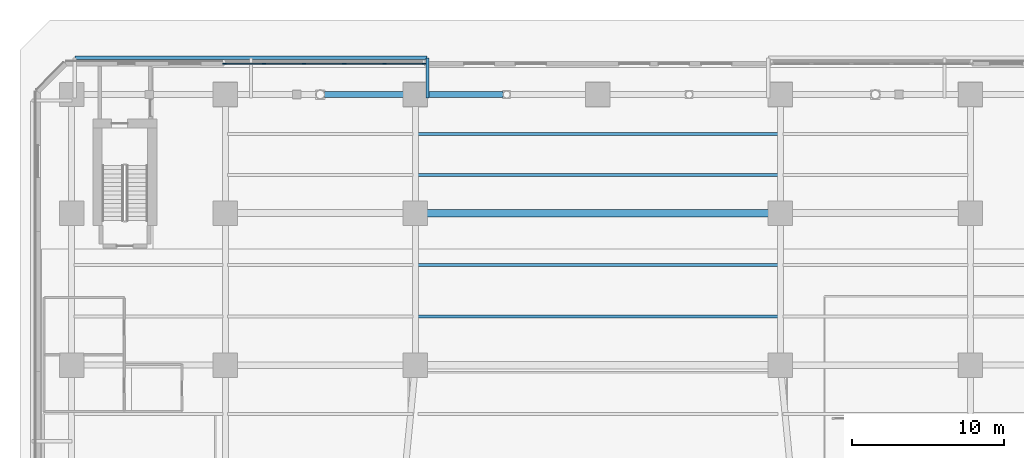
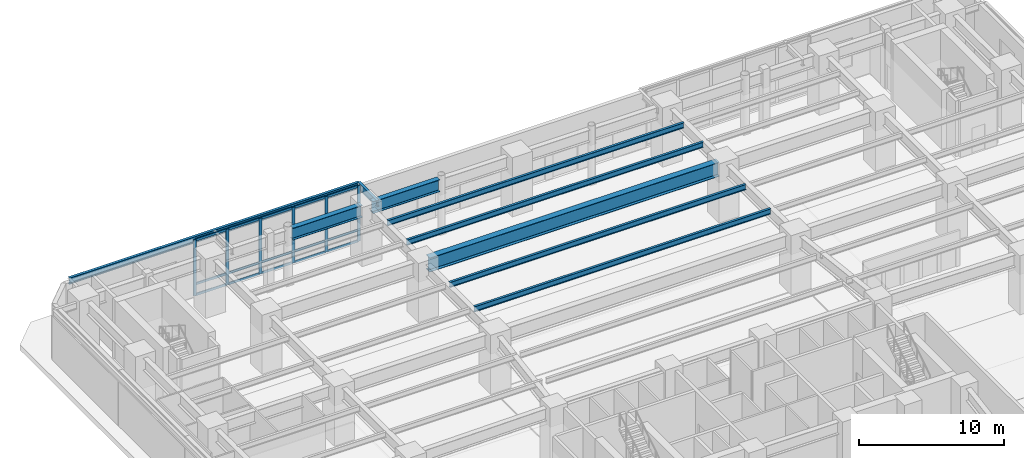
# One storey, part 10 of 26: 21 members, 9 beams, 1 element without a shape of its own.
"""IFC4 building model written with IfcOpenShell, lengths in metres."""

from ifc_helpers import new_model, si_unit, direction, frame, origin, origin_2d, place, context, subcontext, project, spatial, rectangle, i_section, extrude, material, material_profile, profile_set, type_object, element, aggregate, save


model = new_model("IFC4")

# Units and contexts
model_context = context("Model", 3, precision=1e-05, world=origin(), true_north=direction((0.0, 1.0)))
body_context = subcontext(model_context, "Body", "Model", "MODEL_VIEW")
ifc_project = project(units=[si_unit("LENGTHUNIT", "METRE"), si_unit("AREAUNIT", "SQUARE_METRE"), si_unit("VOLUMEUNIT", "CUBIC_METRE"), si_unit("PLANEANGLEUNIT", "RADIAN"), si_unit("MASSUNIT", "GRAM", prefix="KILO")], contexts=[model_context])

# Site, building, storey
site_placement = place(None, origin())
site = spatial("IfcSite", under=ifc_project, at=site_placement, CompositionType="ELEMENT")
building_placement = place(site_placement, origin())
building = spatial("IfcBuilding", under=site, at=building_placement, Name="Quenlor Broadcast Tower", CompositionType="ELEMENT")
storey_placement = place(building_placement, origin())
storey = spatial("IfcBuildingStorey", under=building, at=storey_placement, Name="L00", CompositionType="ELEMENT", Elevation=0.0)

# Curtain wall, members
ifc_material_1 = material(Name="Architectural Terracotta and Low-E Glazing", Category="masonry")
curtain_wall_type = type_object("IfcCurtainWallType", Name="Station Concourse and Crown Terracotta Curtain Wall", PredefinedType="NOTDEFINED", material=ifc_material_1)
curtain_wall_placement = place(storey_placement, origin())
curtain_wall = element("IfcCurtainWall", 1, at=curtain_wall_placement, inside=storey, type_object=curtain_wall_type, Name="L00 Curtain Wall CW6 (L00-N-W)", PredefinedType="NOTDEFINED")
ifc_material_2 = material(Name="Aluminium 6063-T6", Category="aluminium")
ifc_material_profile_1 = material_profile(ifc_material_2, rectangle(XDim=0.08203125, YDim=0.239990234375, at=origin_2d()))
ifc_profile_set_1 = profile_set([ifc_material_profile_1], Name="Aluminium 6063-T6 MULL82x240")
member_type_1 = type_object("IfcMemberType", Name="CW6 Aluminium Mullion MULL_CW6", PredefinedType="MULLION", material=ifc_profile_set_1)
member_1_placement = place(storey_placement, frame((-24.55908203125, 24.820068359375, 0.0), z_axis=(0.0, 0.0, 1.0), x_axis=(0.0, 1.0, 0.0)))
member_1 = element("IfcMember", 2, at=member_1_placement, type_object=member_type_1, Name="CW6 mullion 1", PredefinedType="MULLION", context=body_context, shape_type="SweptSolid", body=[
    extrude(rectangle(XDim=0.08203125, YDim=0.239990234375, at=origin_2d()), origin(), (0.0, 0.0, 1.0), 4.699951171875),
])
member_2_placement = place(storey_placement, frame((-21.9599609375, 24.820068359375, 0.0), z_axis=(0.0, 0.0, 1.0), x_axis=(0.0, 1.0, 0.0)))
member_2 = element("IfcMember", 3, at=member_2_placement, type_object=member_type_1, Name="CW6 mullion 2", PredefinedType="MULLION", context=body_context, shape_type="SweptSolid", body=[
    extrude(rectangle(XDim=0.08203125, YDim=0.239990234375, at=origin_2d()), origin(), (0.0, 0.0, 1.0), 4.699951171875),
])
member_3_placement = place(storey_placement, frame((-19.320068359375, 24.820068359375, 0.0), z_axis=(0.0, 0.0, 1.0), x_axis=(0.0, 1.0, 0.0)))
member_3 = element("IfcMember", 4, at=member_3_placement, type_object=member_type_1, Name="CW6 mullion 3", PredefinedType="MULLION", context=body_context, shape_type="SweptSolid", body=[
    extrude(rectangle(XDim=0.08203125, YDim=0.239990234375, at=origin_2d()), origin(), (0.0, 0.0, 1.0), 4.699951171875),
])
member_4_placement = place(storey_placement, frame((-16.679931640625, 24.820068359375, 0.0), z_axis=(0.0, 0.0, 1.0), x_axis=(0.0, 1.0, 0.0)))
member_4 = element("IfcMember", 5, at=member_4_placement, type_object=member_type_1, Name="CW6 mullion 4", PredefinedType="MULLION", context=body_context, shape_type="SweptSolid", body=[
    extrude(rectangle(XDim=0.08203125, YDim=0.239990234375, at=origin_2d()), origin(), (0.0, 0.0, 1.0), 4.699951171875),
])
member_5_placement = place(storey_placement, frame((-14.0400390625, 24.820068359375, 0.0), z_axis=(0.0, 0.0, 1.0), x_axis=(0.0, 1.0, 0.0)))
member_5 = element("IfcMember", 6, at=member_5_placement, type_object=member_type_1, Name="CW6 mullion 5", PredefinedType="MULLION", context=body_context, shape_type="SweptSolid", body=[
    extrude(rectangle(XDim=0.08203125, YDim=0.239990234375, at=origin_2d()), origin(), (0.0, 0.0, 1.0), 4.699951171875),
])
member_6_placement = place(storey_placement, frame((-11.44091796875, 24.820068359375, 0.0), z_axis=(0.0, 0.0, 1.0), x_axis=(0.0, 1.0, 0.0)))
member_6 = element("IfcMember", 7, at=member_6_placement, type_object=member_type_1, Name="CW6 mullion 6", PredefinedType="MULLION", context=body_context, shape_type="SweptSolid", body=[
    extrude(rectangle(XDim=0.08203125, YDim=0.239990234375, at=origin_2d()), origin(), (0.0, 0.0, 1.0), 4.699951171875),
])
ifc_material_3 = material(Name="Aluminium 6063-T6", Category="aluminium")
ifc_material_profile_2 = material_profile(ifc_material_3, rectangle(XDim=0.08203125, YDim=0.195068359375, at=origin_2d()))
ifc_profile_set_2 = profile_set([ifc_material_profile_2], Name="Aluminium 6063-T6 TRAN82x195")
member_type_2 = type_object("IfcMemberType", Name="CW6 Aluminium Transom TRAN_CW6", PredefinedType="USERDEFINED", material=ifc_profile_set_2)
member_7_placement = place(storey_placement, frame((-24.51806640625, 24.820068359375, 0.041015625), z_axis=(1.0, 0.0, 0.0), x_axis=(0.0, 1.0, 0.0)))
member_7 = element("IfcMember", 8, at=member_7_placement, type_object=member_type_2, Name="CW6 transom 1.1", ObjectType="TRANSOM", PredefinedType="USERDEFINED", context=body_context, shape_type="SweptSolid", body=[
    extrude(rectangle(XDim=0.08203125, YDim=0.195068359375, at=origin_2d()), origin(), (0.0, 0.0, 1.0), 2.51708984375),
])
member_8_placement = place(storey_placement, frame((-24.51806640625, 24.820068359375, 0.949951171875), z_axis=(1.0, 0.0, 0.0), x_axis=(0.0, 1.0, 0.0)))
member_8 = element("IfcMember", 9, at=member_8_placement, type_object=member_type_2, Name="CW6 transom 1.2", ObjectType="TRANSOM", PredefinedType="USERDEFINED", context=body_context, shape_type="SweptSolid", body=[
    extrude(rectangle(XDim=0.08203125, YDim=0.195068359375, at=origin_2d()), origin(), (0.0, 0.0, 1.0), 2.51708984375),
])
member_9_placement = place(storey_placement, frame((-24.51806640625, 24.820068359375, 4.658935546875), z_axis=(1.0, 0.0, 0.0), x_axis=(0.0, 1.0, 0.0)))
member_9 = element("IfcMember", 10, at=member_9_placement, type_object=member_type_2, Name="CW6 transom 1.3", ObjectType="TRANSOM", PredefinedType="USERDEFINED", context=body_context, shape_type="SweptSolid", body=[
    extrude(rectangle(XDim=0.08203125, YDim=0.195068359375, at=origin_2d()), origin(), (0.0, 0.0, 1.0), 2.51708984375),
])
member_10_placement = place(storey_placement, frame((-21.9189453125, 24.820068359375, 0.041015625), z_axis=(1.0, 0.0, 0.0), x_axis=(0.0, 1.0, 0.0)))
member_10 = element("IfcMember", 11, at=member_10_placement, type_object=member_type_2, Name="CW6 transom 2.1", ObjectType="TRANSOM", PredefinedType="USERDEFINED", context=body_context, shape_type="SweptSolid", body=[
    extrude(rectangle(XDim=0.08203125, YDim=0.195068359375, at=origin_2d()), origin(), (0.0, 0.0, 1.0), 2.557861328125),
])
member_11_placement = place(storey_placement, frame((-21.9189453125, 24.820068359375, 0.949951171875), z_axis=(1.0, 0.0, 0.0), x_axis=(0.0, 1.0, 0.0)))
member_11 = element("IfcMember", 12, at=member_11_placement, type_object=member_type_2, Name="CW6 transom 2.2", ObjectType="TRANSOM", PredefinedType="USERDEFINED", context=body_context, shape_type="SweptSolid", body=[
    extrude(rectangle(XDim=0.08203125, YDim=0.195068359375, at=origin_2d()), origin(), (0.0, 0.0, 1.0), 2.557861328125),
])
member_12_placement = place(storey_placement, frame((-21.9189453125, 24.820068359375, 4.658935546875), z_axis=(1.0, 0.0, 0.0), x_axis=(0.0, 1.0, 0.0)))
member_12 = element("IfcMember", 13, at=member_12_placement, type_object=member_type_2, Name="CW6 transom 2.3", ObjectType="TRANSOM", PredefinedType="USERDEFINED", context=body_context, shape_type="SweptSolid", body=[
    extrude(rectangle(XDim=0.08203125, YDim=0.195068359375, at=origin_2d()), origin(), (0.0, 0.0, 1.0), 2.557861328125),
])
member_13_placement = place(storey_placement, frame((-19.279052734375, 24.820068359375, 0.041015625), z_axis=(1.0, 0.0, 0.0), x_axis=(0.0, 1.0, 0.0)))
member_13 = element("IfcMember", 14, at=member_13_placement, type_object=member_type_2, Name="CW6 transom 3.1", ObjectType="TRANSOM", PredefinedType="USERDEFINED", context=body_context, shape_type="SweptSolid", body=[
    extrude(rectangle(XDim=0.08203125, YDim=0.195068359375, at=origin_2d()), origin(), (0.0, 0.0, 1.0), 2.55810546875),
])
member_14_placement = place(storey_placement, frame((-19.279052734375, 24.820068359375, 0.949951171875), z_axis=(1.0, 0.0, 0.0), x_axis=(0.0, 1.0, 0.0)))
member_14 = element("IfcMember", 15, at=member_14_placement, type_object=member_type_2, Name="CW6 transom 3.2", ObjectType="TRANSOM", PredefinedType="USERDEFINED", context=body_context, shape_type="SweptSolid", body=[
    extrude(rectangle(XDim=0.08203125, YDim=0.195068359375, at=origin_2d()), origin(), (0.0, 0.0, 1.0), 2.55810546875),
])
member_15_placement = place(storey_placement, frame((-19.279052734375, 24.820068359375, 4.658935546875), z_axis=(1.0, 0.0, 0.0), x_axis=(0.0, 1.0, 0.0)))
member_15 = element("IfcMember", 16, at=member_15_placement, type_object=member_type_2, Name="CW6 transom 3.3", ObjectType="TRANSOM", PredefinedType="USERDEFINED", context=body_context, shape_type="SweptSolid", body=[
    extrude(rectangle(XDim=0.08203125, YDim=0.195068359375, at=origin_2d()), origin(), (0.0, 0.0, 1.0), 2.55810546875),
])
member_16_placement = place(storey_placement, frame((-16.638916015625, 24.820068359375, 0.041015625), z_axis=(1.0, 0.0, 0.0), x_axis=(0.0, 1.0, 0.0)))
member_16 = element("IfcMember", 17, at=member_16_placement, type_object=member_type_2, Name="CW6 transom 4.1", ObjectType="TRANSOM", PredefinedType="USERDEFINED", context=body_context, shape_type="SweptSolid", body=[
    extrude(rectangle(XDim=0.08203125, YDim=0.195068359375, at=origin_2d()), origin(), (0.0, 0.0, 1.0), 2.557861328125),
])
member_17_placement = place(storey_placement, frame((-16.638916015625, 24.820068359375, 0.949951171875), z_axis=(1.0, 0.0, 0.0), x_axis=(0.0, 1.0, 0.0)))
member_17 = element("IfcMember", 18, at=member_17_placement, type_object=member_type_2, Name="CW6 transom 4.2", ObjectType="TRANSOM", PredefinedType="USERDEFINED", context=body_context, shape_type="SweptSolid", body=[
    extrude(rectangle(XDim=0.08203125, YDim=0.195068359375, at=origin_2d()), origin(), (0.0, 0.0, 1.0), 2.557861328125),
])
member_18_placement = place(storey_placement, frame((-16.638916015625, 24.820068359375, 4.658935546875), z_axis=(1.0, 0.0, 0.0), x_axis=(0.0, 1.0, 0.0)))
member_18 = element("IfcMember", 19, at=member_18_placement, type_object=member_type_2, Name="CW6 transom 4.3", ObjectType="TRANSOM", PredefinedType="USERDEFINED", context=body_context, shape_type="SweptSolid", body=[
    extrude(rectangle(XDim=0.08203125, YDim=0.195068359375, at=origin_2d()), origin(), (0.0, 0.0, 1.0), 2.557861328125),
])
member_19_placement = place(storey_placement, frame((-13.9990234375, 24.820068359375, 0.041015625), z_axis=(1.0, 0.0, 0.0), x_axis=(0.0, 1.0, 0.0)))
member_19 = element("IfcMember", 20, at=member_19_placement, type_object=member_type_2, Name="CW6 transom 5.1", ObjectType="TRANSOM", PredefinedType="USERDEFINED", context=body_context, shape_type="SweptSolid", body=[
    extrude(rectangle(XDim=0.08203125, YDim=0.195068359375, at=origin_2d()), origin(), (0.0, 0.0, 1.0), 2.51708984375),
])
member_20_placement = place(storey_placement, frame((-13.9990234375, 24.820068359375, 0.949951171875), z_axis=(1.0, 0.0, 0.0), x_axis=(0.0, 1.0, 0.0)))
member_20 = element("IfcMember", 21, at=member_20_placement, type_object=member_type_2, Name="CW6 transom 5.2", ObjectType="TRANSOM", PredefinedType="USERDEFINED", context=body_context, shape_type="SweptSolid", body=[
    extrude(rectangle(XDim=0.08203125, YDim=0.195068359375, at=origin_2d()), origin(), (0.0, 0.0, 1.0), 2.51708984375),
])
member_21_placement = place(storey_placement, frame((-13.9990234375, 24.820068359375, 4.658935546875), z_axis=(1.0, 0.0, 0.0), x_axis=(0.0, 1.0, 0.0)))
member_21 = element("IfcMember", 22, at=member_21_placement, type_object=member_type_2, Name="CW6 transom 5.3", ObjectType="TRANSOM", PredefinedType="USERDEFINED", context=body_context, shape_type="SweptSolid", body=[
    extrude(rectangle(XDim=0.08203125, YDim=0.195068359375, at=origin_2d()), origin(), (0.0, 0.0, 1.0), 2.51708984375),
])
aggregate(curtain_wall, [member_1, member_2, member_3, member_4, member_5, member_6, member_7, member_8, member_9, member_10, member_11, member_12, member_13, member_14, member_15, member_16, member_17, member_18, member_19, member_20, member_21])

# Beams
ifc_material_4 = material(Name="Steel S355", Category="steel")
ifc_material_profile_3 = material_profile(ifc_material_4, i_section(OverallWidth=0.208984375, OverallDepth=0.532958984375, WebThickness=0.01025390625, FlangeThickness=0.015625, FilletRadius=0.013916015625, at=origin_2d()))
ifc_profile_set_3 = profile_set([ifc_material_profile_3], Name="Steel S355 530UB92.4")
beam_type_1 = type_object("IfcBeamType", Name="Perimeter Spandrel Beam Z1 Steel S355 530UB92.4", PredefinedType="SPANDREL", material=ifc_profile_set_3)
beam_1_placement = place(storey_placement, frame((-11.199951171875, 22.5849609375, 4.43359375), z_axis=(0.0, 1.0, 0.0), x_axis=(-1.0, 0.0, 0.0)))
element("IfcBeam", 23, at=beam_1_placement, inside=storey, type_object=beam_type_1, Name="L00 Podium Lattice Sill Tie NW2", PredefinedType="SPANDREL", context=body_context, shape_type="SweptSolid", body=[
    extrude(i_section(OverallWidth=0.208984375, OverallDepth=0.532958984375, WebThickness=0.01025390625, FlangeThickness=0.015625, FilletRadius=0.013916015625, at=origin_2d()), origin(), (0.0, 0.0, 1.0), 2.610107421875),
])
beam_2_placement = place(storey_placement, frame((-34.3798828125, 25.215087890625, 4.43359375), z_axis=(1.0, 0.0, 0.0), x_axis=(0.0, 1.0, 0.0)))
element("IfcBeam", 24, at=beam_2_placement, inside=storey, type_object=beam_type_1, Name="L00 Podium Lattice Sill Girder NW", PredefinedType="SPANDREL", context=body_context, shape_type="SweptSolid", body=[
    extrude(i_section(OverallWidth=0.208984375, OverallDepth=0.532958984375, WebThickness=0.01025390625, FlangeThickness=0.015625, FilletRadius=0.013916015625, at=origin_2d()), origin(), (0.0, 0.0, 1.0), 23.159912109375),
])
ifc_material_5 = material(Name="Steel S355", Category="steel")
ifc_material_profile_4 = material_profile(ifc_material_5, i_section(OverallWidth=0.39990234375, OverallDepth=1.02392578125, WebThickness=0.01611328125, FlangeThickness=0.031982421875, FilletRadius=0.01611328125, at=origin_2d()))
ifc_profile_set_4 = profile_set([ifc_material_profile_4], Name="Steel S355 1000WB322")
beam_type_2 = type_object("IfcBeamType", Name="Podium Concourse Girder Steel S355 1000WB322", PredefinedType="BEAM", material=ifc_profile_set_4)
beam_3_placement = place(storey_placement, frame((-17.965087890625, 22.800048828125, 4.18798828125), z_axis=(1.0, 0.0, 0.0), x_axis=(0.0, 1.0, 0.0)))
element("IfcBeam", 25, at=beam_3_placement, inside=storey, type_object=beam_type_2, Name="L00 Podium Girder 26", PredefinedType="BEAM", context=body_context, shape_type="SweptSolid", body=[
    extrude(i_section(OverallWidth=0.39990234375, OverallDepth=1.02392578125, WebThickness=0.01611328125, FlangeThickness=0.031982421875, FilletRadius=0.01611328125, at=origin_2d()), origin(), (0.0, 0.0, 1.0), 5.545166015625),
])
beam_4_placement = place(storey_placement, frame((-11.580078125, 22.800048828125, 4.18798828125), z_axis=(1.0, 0.0, 0.0), x_axis=(0.0, 1.0, 0.0)))
element("IfcBeam", 26, at=beam_4_placement, inside=storey, type_object=beam_type_2, Name="L00 Podium Girder 27", PredefinedType="BEAM", context=body_context, shape_type="SweptSolid", body=[
    extrude(i_section(OverallWidth=0.39990234375, OverallDepth=1.02392578125, WebThickness=0.01611328125, FlangeThickness=0.031982421875, FilletRadius=0.01611328125, at=origin_2d()), origin(), (0.0, 0.0, 1.0), 5.34619140625),
])
ifc_material_6 = material(Name="Steel S355", Category="steel")
ifc_material_profile_5 = material_profile(ifc_material_6, i_section(OverallWidth=0.18994140625, OverallDepth=0.453857421875, WebThickness=0.008544921875, FlangeThickness=0.0126953125, FilletRadius=0.011474609375, at=origin_2d()))
ifc_profile_set_5 = profile_set([ifc_material_profile_5], Name="Steel S355 460UB67.1")
beam_type_3 = type_object("IfcBeamType", Name="Podium Floor Joist Steel S355 460UB67.1", PredefinedType="JOIST", material=ifc_profile_set_5)
for number, where, z_axis, x_axis, name in (
    (27, (-11.840087890625, 8.199951171875, 4.47314453125), (1.0, 0.0, 0.0), (0.0, 1.0, 0.0), "L00 Podium Floor Joist 3"),
    (28, (-11.840087890625, 11.60009765625, 4.47314453125), (1.0, 0.0, 0.0), (0.0, 1.0, 0.0), "L00 Podium Floor Joist 8"),
    (29, (-11.840087890625, 17.5, 4.47314453125), (1.0, 0.0, 0.0), (0.0, 1.0, 0.0), "L00 Podium Floor Joist 13"),
    (30, (-11.840087890625, 20.199951171875, 4.47314453125), (1.0, 0.0, 0.0), (0.0, 1.0, 0.0), "L00 Podium Floor Joist 18"),
):
    element("IfcBeam", number, at=place(storey_placement, frame(where, z_axis=z_axis, x_axis=x_axis)), inside=storey, type_object=beam_type_3, Name=name, PredefinedType="JOIST", context=body_context, shape_type="SweptSolid", body=[
        extrude(i_section(OverallWidth=0.18994140625, OverallDepth=0.453857421875, WebThickness=0.008544921875, FlangeThickness=0.0126953125, FilletRadius=0.011474609375, at=origin_2d()), origin(), (0.0, 0.0, 1.0), 23.68017578125),
    ])
ifc_material_7 = material(Name="Steel S355", Category="steel")
ifc_material_profile_6 = material_profile(ifc_material_7, i_section(OverallWidth=0.5, OverallDepth=1.199951171875, WebThickness=0.02001953125, FlangeThickness=0.035888671875, FilletRadius=0.01611328125, at=origin_2d()))
ifc_profile_set_6 = profile_set([ifc_material_profile_6], Name="Steel S355 1200WB455")
beam_type_4 = type_object("IfcBeamType", Name="Podium Long Span Studio Girder Steel S355 1200WB455", PredefinedType="BEAM", material=ifc_profile_set_6)
beam_5_placement = place(storey_placement, frame((-11.580078125, 15.0, 4.10009765625), z_axis=(1.0, 0.0, 0.0), x_axis=(0.0, 1.0, 0.0)))
element("IfcBeam", 31, at=beam_5_placement, inside=storey, type_object=beam_type_4, Name="L00 Podium Girder 21", PredefinedType="BEAM", context=body_context, shape_type="SweptSolid", body=[
    extrude(i_section(OverallWidth=0.5, OverallDepth=1.199951171875, WebThickness=0.02001953125, FlangeThickness=0.035888671875, FilletRadius=0.01611328125, at=origin_2d()), origin(), (0.0, 0.0, 1.0), 23.16015625),
])

save(model, "model.ifc")
